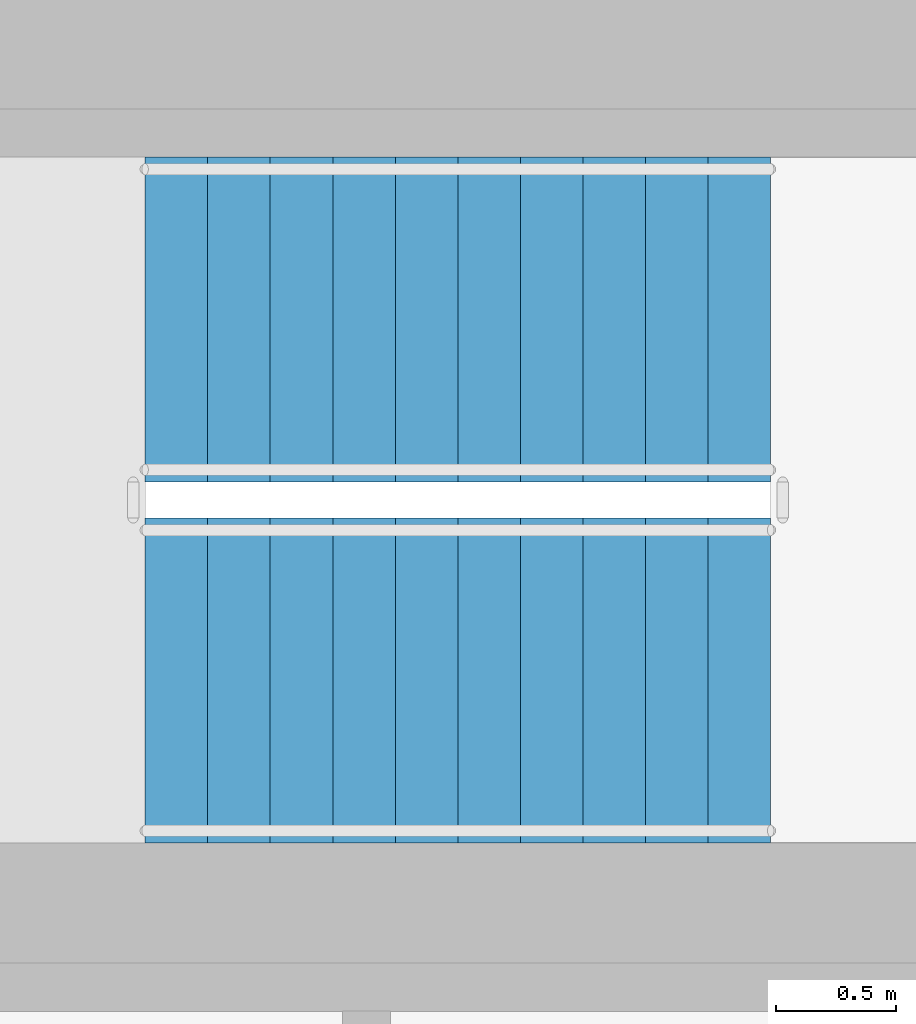
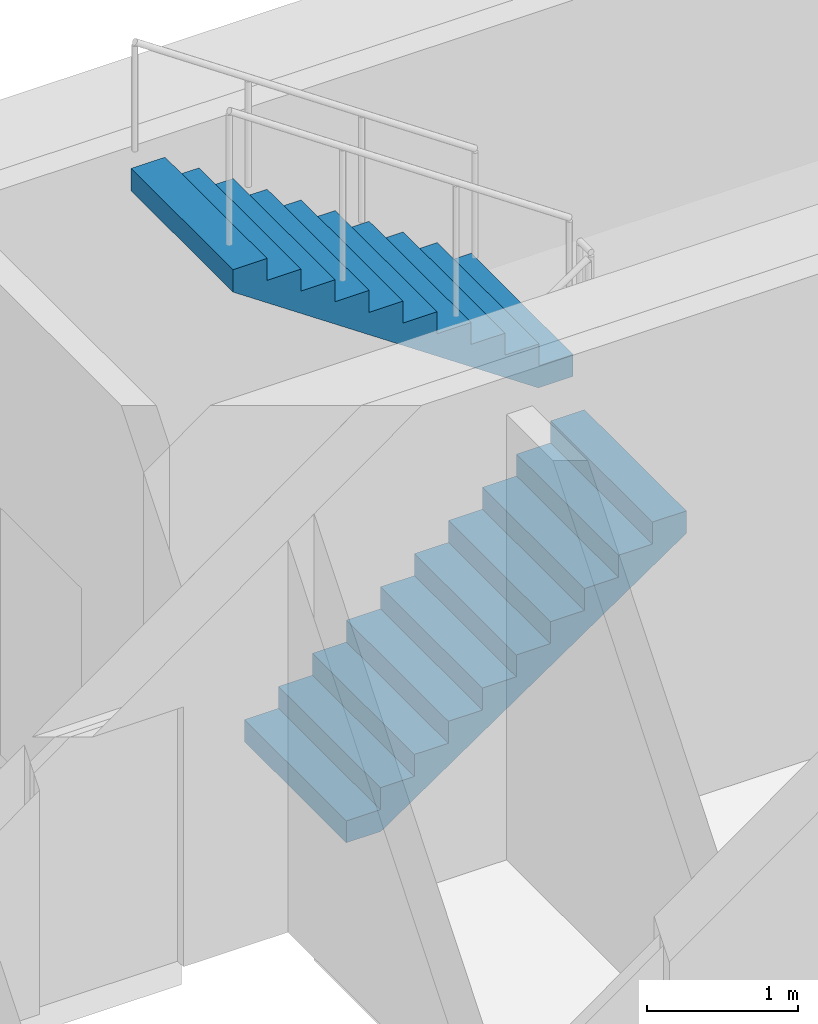
# One storey, part 7 of 9: 2 stair flights, 1 element without a shape of its own.
"""IFC4 building model written with IfcOpenShell, lengths in metres."""

from ifc_helpers import new_model, si_unit, direction, frame, origin, place, context, subcontext, project, spatial, polyline, outline, extrude, material, layer, layer_set, type_object, element, aggregate, save


model = new_model("IFC4")

# Units and contexts
model_context = context("Model", 3, precision=1e-05, world=origin(), true_north=direction((0.0, 1.0)))
body_context = subcontext(model_context, "Body", "Model", "MODEL_VIEW")
ifc_project = project(units=[si_unit("LENGTHUNIT", "METRE"), si_unit("AREAUNIT", "SQUARE_METRE"), si_unit("VOLUMEUNIT", "CUBIC_METRE"), si_unit("PLANEANGLEUNIT", "RADIAN"), si_unit("MASSUNIT", "GRAM", prefix="KILO")], contexts=[model_context])

# Site, building, storey
site_placement = place(None, origin())
site = spatial("IfcSite", under=ifc_project, at=site_placement, CompositionType="ELEMENT")
building_placement = place(site_placement, origin())
building = spatial("IfcBuilding", under=site, at=building_placement, Name="White Candle Pilgrim Tower", CompositionType="ELEMENT")
storey_placement = place(building_placement, frame((0.0, 0.0, 256.10009765625)))
storey = spatial("IfcBuildingStorey", under=building, at=storey_placement, Name="L60", CompositionType="ELEMENT", Elevation=256.10009765625)

# Stair, stair flights
ifc_material = material(Name="Concrete C40/50", Category="concrete")
stair_type = type_object("IfcStairType", Name="Exit stair 3 flight width 1350 mm", PredefinedType="HALF_TURN_STAIR", material=ifc_material)
stair_placement = place(storey_placement, origin())
stair = element("IfcStair", 1, at=stair_placement, inside=storey, type_object=stair_type, Name="L60 stair 3", PredefinedType="NOTDEFINED")
ifc_layer = layer(ifc_material, 0.14990234375)
ifc_layer_set = layer_set([ifc_layer], Name="Stair flight Concrete C40/50")
stair_flight_type = type_object("IfcStairFlightType", Name="Stair flight Concrete C40/50", PredefinedType="STRAIGHT", material=ifc_layer_set)
stair_flight_1_placement = place(storey_placement, frame((69.39990234375, 84.925048828125, 0.0), z_axis=(0.0, 0.0, 1.0), x_axis=(1.0, 0.0, 0.0)))
stair_flight_1 = element("IfcStairFlight", 2, at=stair_flight_1_placement, type_object=stair_flight_type, Name="ST3 flight 1", NumberOfRisers=11, NumberOfTreads=10, PredefinedType="NOTDEFINED", RiserHeight=0.177272727, TreadLength=0.26, context=body_context, shape_type="SweptSolid", body=[
    extrude(outline(polyline([(0.0, 0.0), (0.0, 0.17724609375), (0.260009765625, 0.17724609375), (0.260009765625, 0.3544921875), (0.52001953125, 0.3544921875), (0.52001953125, 0.53173828125), (0.780029296875, 0.53173828125), (0.780029296875, 0.708984375), (1.0400390625, 0.708984375), (1.0400390625, 0.886474609375), (1.300048828125, 0.886474609375), (1.300048828125, 1.063720703125), (1.56005859375, 1.063720703125), (1.56005859375, 1.240966796875), (1.820068359375, 1.240966796875), (1.820068359375, 1.418212890625), (2.080078125, 1.418212890625), (2.080078125, 1.595458984375), (2.340087890625, 1.595458984375), (2.340087890625, 1.772705078125), (2.60009765625, 1.772705078125), (2.60009765625, 1.949951171875), (2.60009765625, 1.59130859375), (0.26611328125, 0.0), (0.0, 0.0)])), frame((0.0, 0.675048828125, 0.0), z_axis=(0.0, -1.0, 0.0), x_axis=(1.0, 0.0, 0.0)), (0.0, 0.0, 1.0), 1.35009765625),
])
stair_flight_2_placement = place(storey_placement, frame((72.0, 86.425048828125, 1.949951171875), z_axis=(0.0, 0.0, 1.0), x_axis=(-1.0, 0.0, 0.0)))
stair_flight_2 = element("IfcStairFlight", 3, at=stair_flight_2_placement, type_object=stair_flight_type, Name="ST3 flight 2", NumberOfRisers=11, NumberOfTreads=10, PredefinedType="NOTDEFINED", RiserHeight=0.177272727, TreadLength=0.26, context=body_context, shape_type="SweptSolid", body=[
    extrude(outline(polyline([(0.0, 0.0), (0.0, 0.17724609375), (0.260009765625, 0.17724609375), (0.260009765625, 0.3544921875), (0.52001953125, 0.3544921875), (0.52001953125, 0.53173828125), (0.780029296875, 0.53173828125), (0.780029296875, 0.708984375), (1.0400390625, 0.708984375), (1.0400390625, 0.886474609375), (1.300048828125, 0.886474609375), (1.300048828125, 1.063720703125), (1.56005859375, 1.063720703125), (1.56005859375, 1.240966796875), (1.820068359375, 1.240966796875), (1.820068359375, 1.418212890625), (2.080078125, 1.418212890625), (2.080078125, 1.595458984375), (2.340087890625, 1.595458984375), (2.340087890625, 1.772705078125), (2.60009765625, 1.772705078125), (2.60009765625, 1.949951171875), (2.60009765625, 1.59130859375), (0.26611328125, 0.0), (0.0, 0.0)])), frame((0.0, 0.675048828125, 0.0), z_axis=(0.0, -1.0, 0.0), x_axis=(1.0, 0.0, 0.0)), (0.0, 0.0, 1.0), 1.35009765625),
])
aggregate(stair, [stair_flight_1, stair_flight_2])

save(model, "model.ifc")
